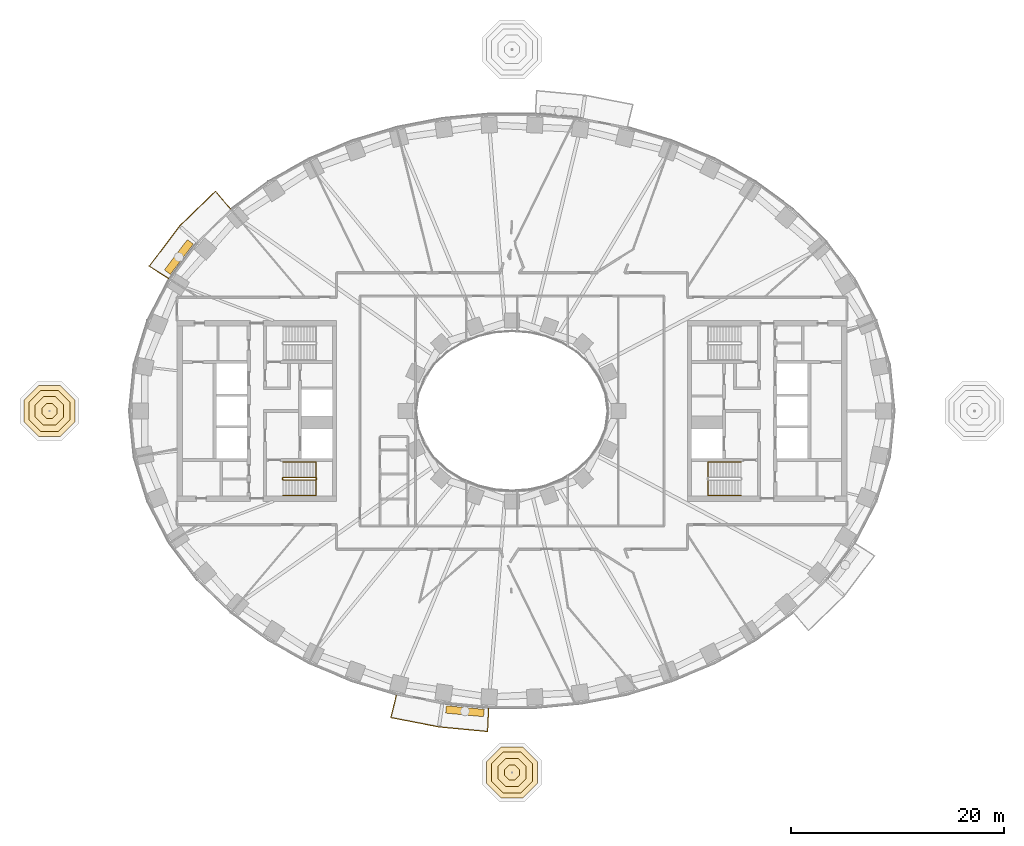
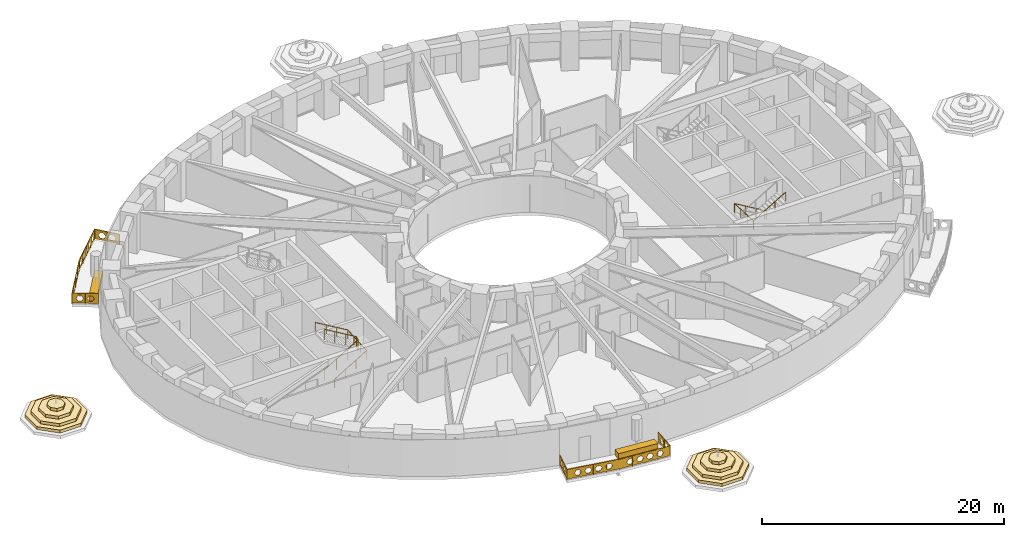
# One storey, part 13 of 20: 10 coverings, 5 railings.
"""IFC4 building model written with IfcOpenShell, lengths in metres."""

from ifc_helpers import new_model, si_unit, direction, frame, origin, origin_2d, place, context, subcontext, project, spatial, polyline, rectangle, outline, extrude, material, layer, layer_set, type_object, element, save


model = new_model("IFC4")

# Units and contexts
model_context = context("Model", 3, precision=1e-05, world=origin(), true_north=direction((0.0, 1.0)))
body_context = subcontext(model_context, "Body", "Model", "MODEL_VIEW")
ifc_project = project(units=[si_unit("LENGTHUNIT", "METRE"), si_unit("AREAUNIT", "SQUARE_METRE"), si_unit("VOLUMEUNIT", "CUBIC_METRE"), si_unit("PLANEANGLEUNIT", "RADIAN"), si_unit("MASSUNIT", "GRAM", prefix="KILO")], contexts=[model_context])

# Site, building, storey
site_placement = place(None, origin())
site = spatial("IfcSite", under=ifc_project, at=site_placement, CompositionType="ELEMENT")
building_placement = place(site_placement, origin())
building = spatial("IfcBuilding", under=site, at=building_placement, Name="Noorbagh Ring Tower", CompositionType="ELEMENT")
storey_placement = place(building_placement, frame((0.0, 0.0, 34.5)))
storey = spatial("IfcBuildingStorey", under=building, at=storey_placement, Name="L06", CompositionType="ELEMENT", Elevation=34.5)

# Railings
ifc_material_1 = material(Name="Stainless steel", Category="steel")
railing_type_1 = type_object("IfcRailingType", Name="CORE-STAIR-GUARD", PredefinedType="GUARDRAIL", material=ifc_material_1)
railing_1_placement = place(storey_placement, frame((-21.580078125, -6.449951171875, 0.0)))
element("IfcRailing", 1, at=railing_1_placement, inside=storey, type_object=railing_type_1, Name="L06 ST2 stair guard", PredefinedType="GUARDRAIL", context=body_context, shape_type="SweptSolid", body=[
    extrude(rectangle(XDim=0.048095703125, YDim=0.048095703125, at=origin_2d()), frame((0.0, 0.0, 1.076171875), z_axis=(0.0, 1.0, 0.0), x_axis=(-1.0, 0.0, 0.0)), (0.0, 0.0, 1.0), 0.14990234375),
    extrude(rectangle(XDim=0.048095703125, YDim=0.048095703125, at=origin_2d()), frame((0.0, 0.14990234375, 1.076171875), z_axis=(0.188775798145, -0.754182335027, 0.628945707965), x_axis=(0.970072785993, 0.242814311512, 0.0)), (0.0, 0.0, 1.0), 0.26513671875),
    extrude(rectangle(XDim=0.048095703125, YDim=0.048095703125, at=origin_2d()), frame((0.050048828125, -0.050048828125, 1.24267578125), z_axis=(0.859308565015, 0.0, 0.511457515432), x_axis=(0.0, 1.0, 0.0)), (0.0, 0.0, 1.0), 3.58447265625),
    extrude(rectangle(XDim=0.048095703125, YDim=0.048095703125, at=origin_2d()), frame((3.130126953125, -0.050048828125, 3.076171875), z_axis=(0.707106781187, 0.707106781187, 0.0), x_axis=(-0.707106781187, 0.707106781187, 0.0)), (0.0, 0.0, 1.0), 0.07080078125),
    extrude(rectangle(XDim=0.048095703125, YDim=0.048095703125, at=origin_2d()), frame((3.18017578125, 0.0, 3.076171875), z_axis=(0.0, 1.0, 0.0), x_axis=(-1.0, 0.0, 0.0)), (0.0, 0.0, 1.0), 0.14990234375),
    extrude(rectangle(XDim=0.048095703125, YDim=0.048095703125, at=origin_2d()), frame((3.18017578125, 0.14990234375, 3.076171875), z_axis=(-0.27628659633, 0.27628659633, 0.920506074601), x_axis=(-0.707106781187, -0.707106781187, 0.0)), (0.0, 0.0, 1.0), 0.18115234375),
    extrude(rectangle(XDim=0.048095703125, YDim=0.048095703125, at=origin_2d()), frame((3.130126953125, 0.199951171875, 3.24267578125), z_axis=(-0.859308565015, 0.0, 0.511457515432), x_axis=(0.0, -1.0, 0.0)), (0.0, 0.0, 1.0), 3.58447265625),
    extrude(rectangle(XDim=0.0419921875, YDim=0.0419921875, at=origin_2d()), origin(), (0.0, 0.0, 1.0), 1.052001953125),
    extrude(rectangle(XDim=0.0419921875, YDim=0.0419921875, at=origin_2d()), frame((1.07666015625, -0.050048828125, 0.77783203125)), (0.0, 0.0, 1.0), 1.052001953125),
    extrude(rectangle(XDim=0.0419921875, YDim=0.0419921875, at=origin_2d()), frame((2.103515625, -0.050048828125, 1.388916015625)), (0.0, 0.0, 1.0), 1.052001953125),
    extrude(rectangle(XDim=0.0419921875, YDim=0.0419921875, at=origin_2d()), frame((3.130126953125, -0.050048828125, 2.0)), (0.0, 0.0, 1.0), 1.052001953125),
    extrude(rectangle(XDim=0.0419921875, YDim=0.0419921875, at=origin_2d()), frame((3.130126953125, 0.199951171875, 2.166748046875)), (0.0, 0.0, 1.0), 1.052001953125),
    extrude(rectangle(XDim=0.0419921875, YDim=0.0419921875, at=origin_2d()), frame((2.103515625, 0.199951171875, 2.77783203125)), (0.0, 0.0, 1.0), 1.052001953125),
    extrude(rectangle(XDim=0.0419921875, YDim=0.0419921875, at=origin_2d()), frame((1.07666015625, 0.199951171875, 3.388916015625)), (0.0, 0.0, 1.0), 1.052001953125),
    extrude(rectangle(XDim=0.0419921875, YDim=0.0419921875, at=origin_2d()), frame((0.050048828125, 0.199951171875, 4.0)), (0.0, 0.0, 1.0), 1.052001953125),
])
ifc_material_2 = material(Name="Stainless steel", Category="steel")
railing_type_2 = type_object("IfcRailingType", Name="CORE-STAIR-HANDRAIL", PredefinedType="HANDRAIL", material=ifc_material_2)
railing_2_placement = place(storey_placement, frame((-21.530029296875, -7.949951171875, 0.166748046875)))
element("IfcRailing", 2, at=railing_2_placement, inside=storey, type_object=railing_type_2, Name="L06 ST2 stair handrail", PredefinedType="HANDRAIL", context=body_context, shape_type="SweptSolid", body=[
    extrude(rectangle(XDim=0.048095703125, YDim=0.048095703125, at=origin_2d()), frame((0.0, 0.0, 0.8759765625), z_axis=(0.859308565015, 0.0, 0.511457515432), x_axis=(0.0, 1.0, 0.0)), (0.0, 0.0, 1.0), 3.58447265625),
    extrude(rectangle(XDim=0.048095703125, YDim=0.048095703125, at=origin_2d()), frame((3.080078125, 0.0, 2.708984375), z_axis=(0.0, 0.998601747152, 0.052863509014), x_axis=(-1.0, 0.0, 0.0)), (0.0, 0.0, 1.0), 3.154296875),
    extrude(rectangle(XDim=0.048095703125, YDim=0.048095703125, at=origin_2d()), frame((3.080078125, 3.14990234375, 2.8759765625), z_axis=(-0.859308565015, 0.0, 0.511457515432), x_axis=(0.0, -1.0, 0.0)), (0.0, 0.0, 1.0), 3.58447265625),
    extrude(rectangle(XDim=0.0419921875, YDim=0.0419921875, at=origin_2d()), origin(), (0.0, 0.0, 1.0), 0.851806640625),
    extrude(rectangle(XDim=0.0419921875, YDim=0.0419921875, at=origin_2d()), frame((1.026611328125, 0.0, 0.611083984375)), (0.0, 0.0, 1.0), 0.851806640625),
    extrude(rectangle(XDim=0.0419921875, YDim=0.0419921875, at=origin_2d()), frame((2.053466796875, 0.0, 1.22216796875)), (0.0, 0.0, 1.0), 0.851806640625),
    extrude(rectangle(XDim=0.0419921875, YDim=0.0419921875, at=origin_2d()), frame((3.080078125, 0.0, 1.833251953125)), (0.0, 0.0, 1.0), 0.851806640625),
    extrude(rectangle(XDim=0.0419921875, YDim=0.0419921875, at=origin_2d()), frame((3.080078125, 1.050048828125, 1.888916015625)), (0.0, 0.0, 1.0), 0.851806640625),
    extrude(rectangle(XDim=0.0419921875, YDim=0.0419921875, at=origin_2d()), frame((3.080078125, 2.099853515625, 1.9443359375)), (0.0, 0.0, 1.0), 0.851806640625),
    extrude(rectangle(XDim=0.0419921875, YDim=0.0419921875, at=origin_2d()), frame((3.080078125, 3.14990234375, 2.0)), (0.0, 0.0, 1.0), 0.851806640625),
    extrude(rectangle(XDim=0.0419921875, YDim=0.0419921875, at=origin_2d()), frame((2.053466796875, 3.14990234375, 2.611083984375)), (0.0, 0.0, 1.0), 0.851806640625),
    extrude(rectangle(XDim=0.0419921875, YDim=0.0419921875, at=origin_2d()), frame((1.026611328125, 3.14990234375, 3.22216796875)), (0.0, 0.0, 1.0), 0.851806640625),
    extrude(rectangle(XDim=0.0419921875, YDim=0.0419921875, at=origin_2d()), frame((0.0, 3.14990234375, 3.833251953125)), (0.0, 0.0, 1.0), 0.851806640625),
])
railing_3_placement = place(storey_placement, frame((21.530029296875, -4.800048828125, 0.166748046875)))
element("IfcRailing", 3, at=railing_3_placement, inside=storey, type_object=railing_type_2, Name="L06 ST4 stair handrail", PredefinedType="HANDRAIL", context=body_context, shape_type="SweptSolid", body=[
    extrude(rectangle(XDim=0.048095703125, YDim=0.048095703125, at=origin_2d()), frame((0.0, 0.0, 0.8759765625), z_axis=(-0.859308565015, 0.0, 0.511457515432), x_axis=(0.0, -1.0, 0.0)), (0.0, 0.0, 1.0), 3.58447265625),
    extrude(rectangle(XDim=0.048095703125, YDim=0.048095703125, at=origin_2d()), frame((-3.080078125, 0.0, 2.708984375), z_axis=(0.0, -0.998601747152, 0.052863509014), x_axis=(1.0, 0.0, 0.0)), (0.0, 0.0, 1.0), 3.154296875),
    extrude(rectangle(XDim=0.048095703125, YDim=0.048095703125, at=origin_2d()), frame((-3.080078125, -3.14990234375, 2.8759765625), z_axis=(0.859308565015, 0.0, 0.511457515432), x_axis=(0.0, 1.0, 0.0)), (0.0, 0.0, 1.0), 3.58447265625),
    extrude(rectangle(XDim=0.0419921875, YDim=0.0419921875, at=origin_2d()), origin(), (0.0, 0.0, 1.0), 0.851806640625),
    extrude(rectangle(XDim=0.0419921875, YDim=0.0419921875, at=origin_2d()), frame((-1.026611328125, 0.0, 0.611083984375)), (0.0, 0.0, 1.0), 0.851806640625),
    extrude(rectangle(XDim=0.0419921875, YDim=0.0419921875, at=origin_2d()), frame((-2.053466796875, 0.0, 1.22216796875)), (0.0, 0.0, 1.0), 0.851806640625),
    extrude(rectangle(XDim=0.0419921875, YDim=0.0419921875, at=origin_2d()), frame((-3.080078125, 0.0, 1.833251953125)), (0.0, 0.0, 1.0), 0.851806640625),
    extrude(rectangle(XDim=0.0419921875, YDim=0.0419921875, at=origin_2d()), frame((-3.080078125, -1.050048828125, 1.888916015625)), (0.0, 0.0, 1.0), 0.851806640625),
    extrude(rectangle(XDim=0.0419921875, YDim=0.0419921875, at=origin_2d()), frame((-3.080078125, -2.099853515625, 1.9443359375)), (0.0, 0.0, 1.0), 0.851806640625),
    extrude(rectangle(XDim=0.0419921875, YDim=0.0419921875, at=origin_2d()), frame((-3.080078125, -3.14990234375, 2.0)), (0.0, 0.0, 1.0), 0.851806640625),
    extrude(rectangle(XDim=0.0419921875, YDim=0.0419921875, at=origin_2d()), frame((-2.053466796875, -3.14990234375, 2.611083984375)), (0.0, 0.0, 1.0), 0.851806640625),
    extrude(rectangle(XDim=0.0419921875, YDim=0.0419921875, at=origin_2d()), frame((-1.026611328125, -3.14990234375, 3.22216796875)), (0.0, 0.0, 1.0), 0.851806640625),
    extrude(rectangle(XDim=0.0419921875, YDim=0.0419921875, at=origin_2d()), frame((0.0, -3.14990234375, 3.833251953125)), (0.0, 0.0, 1.0), 0.851806640625),
])
ifc_material_3 = material(Name="Steel S275 black powder-coated", Category="steel")
railing_type_3 = type_object("IfcRailingType", Name="ENV-GUARD", PredefinedType="GUARDRAIL", material=ifc_material_3)
railing_4_placement = place(storey_placement, frame((-26.463134765625, 18.983154296875, 0.0)))
element("IfcRailing", 4, at=railing_4_placement, inside=storey, type_object=railing_type_3, Name="Balcony guard BN06", PredefinedType="GUARDRAIL", context=body_context, shape_type="SweptSolid", body=[
    extrude(rectangle(XDim=0.048095703125, YDim=0.048095703125, at=origin_2d()), frame((0.0, 0.0, 1.076171875), z_axis=(-0.646413574048, 0.762987215677, 0.0), x_axis=(-0.762987215677, -0.646413574048, 0.0)), (0.0, 0.0, 1.0), 2.205322265625),
    extrude(rectangle(XDim=0.048095703125, YDim=0.048095703125, at=origin_2d()), frame((-1.425537109375, 1.6826171875, 1.076171875), z_axis=(-0.717212632946, -0.696854388766, 0.0), x_axis=(0.696854388766, -0.717212632946, 0.0)), (0.0, 0.0, 1.0), 4.700927734375),
    extrude(rectangle(XDim=0.048095703125, YDim=0.048095703125, at=origin_2d()), frame((-4.797119140625, -1.59326171875, 1.076171875), z_axis=(-0.604001613322, -0.796983093362, 0.0), x_axis=(0.796983093362, -0.604001613322, 0.0)), (0.0, 0.0, 1.0), 4.7353515625),
    extrude(rectangle(XDim=0.048095703125, YDim=0.048095703125, at=origin_2d()), frame((-7.6572265625, -5.3671875, 1.076171875), z_axis=(0.844852397829, -0.534999463442, 0.0), x_axis=(0.534999463442, 0.844852397829, 0.0)), (0.0, 0.0, 1.0), 2.207763671875),
    extrude(rectangle(XDim=0.0419921875, YDim=0.0419921875, at=origin_2d()), origin(), (0.0, 0.0, 1.0), 1.052001953125),
    extrude(rectangle(XDim=0.0419921875, YDim=0.0419921875, at=origin_2d()), frame((-0.712890625, 0.84130859375, 0.0)), (0.0, 0.0, 1.0), 1.052001953125),
    extrude(rectangle(XDim=0.0419921875, YDim=0.0419921875, at=origin_2d()), frame((-1.425537109375, 1.6826171875, 0.0)), (0.0, 0.0, 1.0), 1.052001953125),
    extrude(rectangle(XDim=0.0419921875, YDim=0.0419921875, at=origin_2d()), frame((-2.2685546875, 0.86376953125, 0.0)), (0.0, 0.0, 1.0), 1.052001953125),
    extrude(rectangle(XDim=0.0419921875, YDim=0.0419921875, at=origin_2d()), frame((-3.111328125, 0.044677734375, 0.0)), (0.0, 0.0, 1.0), 1.052001953125),
    extrude(rectangle(XDim=0.0419921875, YDim=0.0419921875, at=origin_2d()), frame((-3.9541015625, -0.7744140625, 0.0)), (0.0, 0.0, 1.0), 1.052001953125),
    extrude(rectangle(XDim=0.0419921875, YDim=0.0419921875, at=origin_2d()), frame((-4.797119140625, -1.59326171875, 0.0)), (0.0, 0.0, 1.0), 1.052001953125),
    extrude(rectangle(XDim=0.0419921875, YDim=0.0419921875, at=origin_2d()), frame((-5.51220703125, -2.53662109375, 0.0)), (0.0, 0.0, 1.0), 1.052001953125),
    extrude(rectangle(XDim=0.0419921875, YDim=0.0419921875, at=origin_2d()), frame((-6.22705078125, -3.480224609375, 0.0)), (0.0, 0.0, 1.0), 1.052001953125),
    extrude(rectangle(XDim=0.0419921875, YDim=0.0419921875, at=origin_2d()), frame((-6.942138671875, -4.423828125, 0.0)), (0.0, 0.0, 1.0), 1.052001953125),
    extrude(rectangle(XDim=0.0419921875, YDim=0.0419921875, at=origin_2d()), frame((-7.6572265625, -5.3671875, 0.0)), (0.0, 0.0, 1.0), 1.052001953125),
    extrude(rectangle(XDim=0.0419921875, YDim=0.0419921875, at=origin_2d()), frame((-6.724609375, -5.957763671875, 0.0)), (0.0, 0.0, 1.0), 1.052001953125),
    extrude(rectangle(XDim=0.0419921875, YDim=0.0419921875, at=origin_2d()), frame((-5.7919921875, -6.54833984375, 0.0)), (0.0, 0.0, 1.0), 1.052001953125),
    extrude(outline(polyline([(0.0, 0.10009765625), (2.205322265625, 0.10009765625), (2.205322265625, 1.031982421875), (0.0, 1.031982421875), (0.0, 0.10009765625)]), holes=[polyline([(0.962646484375, 0.56591796875), (0.8076171875, 0.83447265625), (0.49755859375, 0.83447265625), (0.342529296875, 0.56591796875), (0.49755859375, 0.297607421875), (0.8076171875, 0.297607421875), (0.962646484375, 0.56591796875)]), polyline([(1.862548828125, 0.56591796875), (1.707763671875, 0.83447265625), (1.397705078125, 0.83447265625), (1.24267578125, 0.56591796875), (1.397705078125, 0.297607421875), (1.707763671875, 0.297607421875), (1.862548828125, 0.56591796875)])]), frame((-0.007568359375, -0.00634765625, 0.0), z_axis=(0.762987215677, 0.646413574048, 0.0), x_axis=(-0.646413574048, 0.762987215677, 0.0)), (0.0, 0.0, 1.0), 0.02001953125),
    extrude(outline(polyline([(0.0, 0.10009765625), (4.700927734375, 0.10009765625), (4.700927734375, 1.031982421875), (0.0, 1.031982421875), (0.0, 0.10009765625)]), holes=[polyline([(0.860595703125, 0.56591796875), (0.70556640625, 0.83447265625), (0.3955078125, 0.83447265625), (0.240478515625, 0.56591796875), (0.3955078125, 0.297607421875), (0.70556640625, 0.297607421875), (0.860595703125, 0.56591796875)]), polyline([(1.760498046875, 0.56591796875), (1.60546875, 0.83447265625), (1.29541015625, 0.83447265625), (1.140380859375, 0.56591796875), (1.29541015625, 0.297607421875), (1.60546875, 0.297607421875), (1.760498046875, 0.56591796875)]), polyline([(2.660400390625, 0.56591796875), (2.50537109375, 0.83447265625), (2.195556640625, 0.83447265625), (2.04052734375, 0.56591796875), (2.195556640625, 0.297607421875), (2.50537109375, 0.297607421875), (2.660400390625, 0.56591796875)]), polyline([(3.560546875, 0.56591796875), (3.405517578125, 0.83447265625), (3.095458984375, 0.83447265625), (2.9404296875, 0.56591796875), (3.095458984375, 0.297607421875), (3.405517578125, 0.297607421875), (3.560546875, 0.56591796875)]), polyline([(4.46044921875, 0.56591796875), (4.305419921875, 0.83447265625), (3.995361328125, 0.83447265625), (3.840576171875, 0.56591796875), (3.995361328125, 0.297607421875), (4.305419921875, 0.297607421875), (4.46044921875, 0.56591796875)])]), frame((-1.41845703125, 1.675537109375, 0.0), z_axis=(-0.696854388766, 0.717212632946, 0.0), x_axis=(-0.717212632946, -0.696854388766, 0.0)), (0.0, 0.0, 1.0), 0.02001953125),
    extrude(outline(polyline([(0.0, 0.10009765625), (4.7353515625, 0.10009765625), (4.7353515625, 1.031982421875), (0.0, 1.031982421875), (0.0, 0.10009765625)]), holes=[polyline([(0.877685546875, 0.56591796875), (0.72265625, 0.83447265625), (0.41259765625, 0.83447265625), (0.257568359375, 0.56591796875), (0.41259765625, 0.297607421875), (0.72265625, 0.297607421875), (0.877685546875, 0.56591796875)]), polyline([(1.777587890625, 0.56591796875), (1.62255859375, 0.83447265625), (1.312744140625, 0.83447265625), (1.15771484375, 0.56591796875), (1.312744140625, 0.297607421875), (1.62255859375, 0.297607421875), (1.777587890625, 0.56591796875)]), polyline([(2.677734375, 0.56591796875), (2.522705078125, 0.83447265625), (2.212646484375, 0.83447265625), (2.0576171875, 0.56591796875), (2.212646484375, 0.297607421875), (2.522705078125, 0.297607421875), (2.677734375, 0.56591796875)]), polyline([(3.57763671875, 0.56591796875), (3.422607421875, 0.83447265625), (3.112548828125, 0.83447265625), (2.95751953125, 0.56591796875), (3.112548828125, 0.297607421875), (3.422607421875, 0.297607421875), (3.57763671875, 0.56591796875)]), polyline([(4.4775390625, 0.56591796875), (4.32275390625, 0.83447265625), (4.0126953125, 0.83447265625), (3.857666015625, 0.56591796875), (4.0126953125, 0.297607421875), (4.32275390625, 0.297607421875), (4.4775390625, 0.56591796875)])]), frame((-4.7890625, -1.599365234375, 0.0), z_axis=(-0.796983093362, 0.604001613322, 0.0), x_axis=(-0.604001613322, -0.796983093362, 0.0)), (0.0, 0.0, 1.0), 0.02001953125),
    extrude(outline(polyline([(0.0, 0.10009765625), (2.207763671875, 0.10009765625), (2.207763671875, 1.031982421875), (0.0, 1.031982421875), (0.0, 0.10009765625)]), holes=[polyline([(0.9638671875, 0.56591796875), (0.808837890625, 0.83447265625), (0.498779296875, 0.83447265625), (0.343994140625, 0.56591796875), (0.498779296875, 0.297607421875), (0.808837890625, 0.297607421875), (0.9638671875, 0.56591796875)]), polyline([(1.86376953125, 0.56591796875), (1.708984375, 0.83447265625), (1.39892578125, 0.83447265625), (1.243896484375, 0.56591796875), (1.39892578125, 0.297607421875), (1.708984375, 0.297607421875), (1.86376953125, 0.56591796875)])]), frame((-7.65185546875, -5.358642578125, 0.0), z_axis=(-0.534999463442, -0.844852397829, 0.0), x_axis=(0.844852397829, -0.534999463442, 0.0)), (0.0, 0.0, 1.0), 0.02001953125),
])
railing_5_placement = place(storey_placement, frame((-10.865234375, -26.6943359375, 0.0)))
element("IfcRailing", 5, at=railing_5_placement, inside=storey, type_object=railing_type_3, Name="Balcony guard BS03", PredefinedType="GUARDRAIL", context=body_context, shape_type="SweptSolid", body=[
    extrude(rectangle(XDim=0.048095703125, YDim=0.048095703125, at=origin_2d()), frame((0.0, 0.0, 1.076171875), z_axis=(-0.239848558412, -0.970810315679, 0.0), x_axis=(0.970810315679, -0.239848558412, 0.0)), (0.0, 0.0, 1.0), 2.20263671875),
    extrude(rectangle(XDim=0.048095703125, YDim=0.048095703125, at=origin_2d()), frame((-0.5283203125, -2.138427734375, 1.076171875), z_axis=(0.981625049064, -0.1908199755, 0.0), x_axis=(0.1908199755, 0.981625049064, 0.0)), (0.0, 0.0, 1.0), 4.603271484375),
    extrude(rectangle(XDim=0.048095703125, YDim=0.048095703125, at=origin_2d()), frame((3.990478515625, -3.016845703125, 1.076171875), z_axis=(0.995477555764, -0.094997031379, 0.0), x_axis=(0.094997031379, 0.995477555764, 0.0)), (0.0, 0.0, 1.0), 4.59765625),
    extrude(rectangle(XDim=0.048095703125, YDim=0.048095703125, at=origin_2d()), frame((8.5673828125, -3.45361328125, 1.076171875), z_axis=(0.047554616162, 0.998868639252, 0.0), x_axis=(-0.998868639252, 0.047554616162, 0.0)), (0.0, 0.0, 1.0), 2.202392578125),
    extrude(rectangle(XDim=0.0419921875, YDim=0.0419921875, at=origin_2d()), origin(), (0.0, 0.0, 1.0), 1.052001953125),
    extrude(rectangle(XDim=0.0419921875, YDim=0.0419921875, at=origin_2d()), frame((-0.26416015625, -1.0693359375, 0.0)), (0.0, 0.0, 1.0), 1.052001953125),
    extrude(rectangle(XDim=0.0419921875, YDim=0.0419921875, at=origin_2d()), frame((-0.5283203125, -2.138427734375, 0.0)), (0.0, 0.0, 1.0), 1.052001953125),
    extrude(rectangle(XDim=0.0419921875, YDim=0.0419921875, at=origin_2d()), frame((0.601318359375, -2.35791015625, 0.0)), (0.0, 0.0, 1.0), 1.052001953125),
    extrude(rectangle(XDim=0.0419921875, YDim=0.0419921875, at=origin_2d()), frame((1.73095703125, -2.57763671875, 0.0)), (0.0, 0.0, 1.0), 1.052001953125),
    extrude(rectangle(XDim=0.0419921875, YDim=0.0419921875, at=origin_2d()), frame((2.86083984375, -2.79736328125, 0.0)), (0.0, 0.0, 1.0), 1.052001953125),
    extrude(rectangle(XDim=0.0419921875, YDim=0.0419921875, at=origin_2d()), frame((3.990478515625, -3.016845703125, 0.0)), (0.0, 0.0, 1.0), 1.052001953125),
    extrude(rectangle(XDim=0.0419921875, YDim=0.0419921875, at=origin_2d()), frame((5.134765625, -3.1259765625, 0.0)), (0.0, 0.0, 1.0), 1.052001953125),
    extrude(rectangle(XDim=0.0419921875, YDim=0.0419921875, at=origin_2d()), frame((6.27880859375, -3.2353515625, 0.0)), (0.0, 0.0, 1.0), 1.052001953125),
    extrude(rectangle(XDim=0.0419921875, YDim=0.0419921875, at=origin_2d()), frame((7.423095703125, -3.344482421875, 0.0)), (0.0, 0.0, 1.0), 1.052001953125),
    extrude(rectangle(XDim=0.0419921875, YDim=0.0419921875, at=origin_2d()), frame((8.5673828125, -3.45361328125, 0.0)), (0.0, 0.0, 1.0), 1.052001953125),
    extrude(rectangle(XDim=0.0419921875, YDim=0.0419921875, at=origin_2d()), frame((8.61962890625, -2.353515625, 0.0)), (0.0, 0.0, 1.0), 1.052001953125),
    extrude(rectangle(XDim=0.0419921875, YDim=0.0419921875, at=origin_2d()), frame((8.672119140625, -1.253662109375, 0.0)), (0.0, 0.0, 1.0), 1.052001953125),
    extrude(outline(polyline([(0.0, 0.10009765625), (2.20263671875, 0.10009765625), (2.20263671875, 1.031982421875), (0.0, 1.031982421875), (0.0, 0.10009765625)]), holes=[polyline([(0.96142578125, 0.56591796875), (0.806396484375, 0.83447265625), (0.496337890625, 0.83447265625), (0.34130859375, 0.56591796875), (0.496337890625, 0.297607421875), (0.806396484375, 0.297607421875), (0.96142578125, 0.56591796875)]), polyline([(1.861328125, 0.56591796875), (1.706298828125, 0.83447265625), (1.396240234375, 0.83447265625), (1.241455078125, 0.56591796875), (1.396240234375, 0.297607421875), (1.706298828125, 0.297607421875), (1.861328125, 0.56591796875)])]), frame((0.009765625, -0.00244140625, 0.0), z_axis=(-0.970810315679, 0.239848558412, 0.0), x_axis=(-0.239848558412, -0.970810315679, 0.0)), (0.0, 0.0, 1.0), 0.02001953125),
    extrude(outline(polyline([(0.0, 0.10009765625), (4.603271484375, 0.10009765625), (4.603271484375, 1.031982421875), (0.0, 1.031982421875), (0.0, 0.10009765625)]), holes=[polyline([(1.26171875, 0.56591796875), (1.106689453125, 0.83447265625), (0.796630859375, 0.83447265625), (0.6416015625, 0.56591796875), (0.796630859375, 0.297607421875), (1.106689453125, 0.297607421875), (1.26171875, 0.56591796875)]), polyline([(2.16162109375, 0.56591796875), (2.006591796875, 0.83447265625), (1.69677734375, 0.83447265625), (1.541748046875, 0.56591796875), (1.69677734375, 0.297607421875), (2.006591796875, 0.297607421875), (2.16162109375, 0.56591796875)]), polyline([(3.061767578125, 0.56591796875), (2.90673828125, 0.83447265625), (2.5966796875, 0.83447265625), (2.441650390625, 0.56591796875), (2.5966796875, 0.297607421875), (2.90673828125, 0.297607421875), (3.061767578125, 0.56591796875)]), polyline([(3.961669921875, 0.56591796875), (3.806640625, 0.83447265625), (3.49658203125, 0.83447265625), (3.341796875, 0.56591796875), (3.49658203125, 0.297607421875), (3.806640625, 0.297607421875), (3.961669921875, 0.56591796875)])]), frame((-0.5263671875, -2.128662109375, 0.0), z_axis=(-0.1908199755, -0.981625049064, 0.0), x_axis=(0.981625049064, -0.1908199755, 0.0)), (0.0, 0.0, 1.0), 0.02001953125),
    extrude(outline(polyline([(0.0, 0.10009765625), (4.59765625, 0.10009765625), (4.59765625, 1.031982421875), (0.0, 1.031982421875), (0.0, 0.10009765625)]), holes=[polyline([(1.2587890625, 0.56591796875), (1.103759765625, 0.83447265625), (0.7939453125, 0.83447265625), (0.638916015625, 0.56591796875), (0.7939453125, 0.297607421875), (1.103759765625, 0.297607421875), (1.2587890625, 0.56591796875)]), polyline([(2.158935546875, 0.56591796875), (2.00390625, 0.83447265625), (1.69384765625, 0.83447265625), (1.538818359375, 0.56591796875), (1.69384765625, 0.297607421875), (2.00390625, 0.297607421875), (2.158935546875, 0.56591796875)]), polyline([(3.058837890625, 0.56591796875), (2.90380859375, 0.83447265625), (2.59375, 0.83447265625), (2.43896484375, 0.56591796875), (2.59375, 0.297607421875), (2.90380859375, 0.297607421875), (3.058837890625, 0.56591796875)]), polyline([(3.958740234375, 0.56591796875), (3.803955078125, 0.83447265625), (3.493896484375, 0.83447265625), (3.3388671875, 0.56591796875), (3.493896484375, 0.297607421875), (3.803955078125, 0.297607421875), (3.958740234375, 0.56591796875)])]), frame((3.991455078125, -3.0068359375, 0.0), z_axis=(-0.094997031379, -0.995477555764, 0.0), x_axis=(0.995477555764, -0.094997031379, 0.0)), (0.0, 0.0, 1.0), 0.02001953125),
    extrude(outline(polyline([(0.0, 0.10009765625), (2.202392578125, 0.10009765625), (2.202392578125, 1.031982421875), (0.0, 1.031982421875), (0.0, 0.10009765625)]), holes=[polyline([(0.961181640625, 0.56591796875), (0.80615234375, 0.83447265625), (0.496337890625, 0.83447265625), (0.34130859375, 0.56591796875), (0.496337890625, 0.297607421875), (0.80615234375, 0.297607421875), (0.961181640625, 0.56591796875)]), polyline([(1.861328125, 0.56591796875), (1.706298828125, 0.83447265625), (1.396240234375, 0.83447265625), (1.2412109375, 0.56591796875), (1.396240234375, 0.297607421875), (1.706298828125, 0.297607421875), (1.861328125, 0.56591796875)])]), frame((8.557373046875, -3.453125, 0.0), z_axis=(0.998868639252, -0.047554616162, 0.0), x_axis=(0.047554616162, 0.998868639252, 0.0)), (0.0, 0.0, 1.0), 0.02001953125),
])

# Coverings
ifc_material_4 = material(Name="Concrete C30/37 planter with soil", Category="concrete")
covering_type_1 = type_object("IfcCoveringType", Name="ENV-PLANTER", PredefinedType="CLADDING", material=ifc_material_4)
covering_1_placement = place(storey_placement, frame((-31.329833984375, 14.4833984375, 0.0), z_axis=(0.0, 0.0, 1.0), x_axis=(-0.604020184358, -0.796969018776, 0.0)))
element("IfcCovering", 6, at=covering_1_placement, inside=storey, type_object=covering_type_1, Name="PLANTER BN06", ObjectType="PLANTER", PredefinedType="CLADDING", context=body_context, shape_type="SweptSolid", body=[
    extrude(rectangle(XDim=3.583251953125, YDim=0.699951171875, at=origin_2d()), origin(), (0.0, 0.0, 1.0), 0.60009765625),
])
covering_2_placement = place(storey_placement, frame((-4.423828125, -28.2373046875, 0.0), z_axis=(0.0, 0.0, 1.0), x_axis=(0.995476497323, -0.095008122171, 0.0)))
element("IfcCovering", 7, at=covering_2_placement, inside=storey, type_object=covering_type_1, Name="PLANTER BS03", ObjectType="PLANTER", PredefinedType="CLADDING", context=body_context, shape_type="SweptSolid", body=[
    extrude(rectangle(XDim=3.58642578125, YDim=0.699951171875, at=origin_2d()), origin(), (0.0, 0.0, 1.0), 0.60009765625),
])
ifc_material_5 = material(Name="Cream sandstone dome cladding", Category="masonry")
ifc_layer = layer(ifc_material_5, 0.300048828125)
ifc_layer_set = layer_set([ifc_layer], Name="Cream sandstone dome cladding")
covering_type_2 = type_object("IfcCoveringType", Name="STY-DOME", PredefinedType="ROOFING", material=ifc_layer_set)
covering_3_placement = place(storey_placement, frame((0.0, 0.0, 0.300048828125)))
element("IfcCovering", 8, at=covering_3_placement, inside=storey, type_object=covering_type_2, Name="Chhatri 2 dome", PredefinedType="ROOFING", context=body_context, shape_type="SweptSolid", body=[
    extrude(outline(polyline([(-41.097900390625, 0.9951171875), (-42.5048828125, 2.402099609375), (-44.4951171875, 2.402099609375), (-45.902099609375, 0.9951171875), (-45.902099609375, -0.9951171875), (-44.4951171875, -2.402099609375), (-42.5048828125, -2.402099609375), (-41.097900390625, -0.9951171875), (-41.097900390625, 0.9951171875)])), origin(), (0.0, 0.0, 1.0), 0.300048828125),
])
covering_4_placement = place(storey_placement, frame((0.0, 0.0, 0.60009765625)))
element("IfcCovering", 9, at=covering_4_placement, inside=storey, type_object=covering_type_2, Name="Chhatri 2 dome", PredefinedType="ROOFING", context=body_context, shape_type="SweptSolid", body=[
    extrude(outline(polyline([(-41.559814453125, 0.8037109375), (-42.6962890625, 1.940185546875), (-44.3037109375, 1.940185546875), (-45.440185546875, 0.8037109375), (-45.440185546875, -0.8037109375), (-44.3037109375, -1.940185546875), (-42.6962890625, -1.940185546875), (-41.559814453125, -0.8037109375), (-41.559814453125, 0.8037109375)])), origin(), (0.0, 0.0, 1.0), 0.2998046875),
])
covering_5_placement = place(storey_placement, frame((0.0, 0.0, 0.89990234375)))
element("IfcCovering", 10, at=covering_5_placement, inside=storey, type_object=covering_type_2, Name="Chhatri 2 dome", PredefinedType="ROOFING", context=body_context, shape_type="SweptSolid", body=[
    extrude(outline(polyline([(-42.160400390625, 0.554931640625), (-42.945068359375, 1.339599609375), (-44.054931640625, 1.339599609375), (-44.839599609375, 0.554931640625), (-44.839599609375, -0.554931640625), (-44.054931640625, -1.339599609375), (-42.945068359375, -1.339599609375), (-42.160400390625, -0.554931640625), (-42.160400390625, 0.554931640625)])), origin(), (0.0, 0.0, 1.0), 0.300048828125),
])
covering_6_placement = place(storey_placement, frame((0.0, 0.0, 1.199951171875)))
element("IfcCovering", 11, at=covering_6_placement, inside=storey, type_object=covering_type_2, Name="Chhatri 2 dome", PredefinedType="ROOFING", context=body_context, shape_type="SweptSolid", body=[
    extrude(outline(polyline([(-42.80712890625, 0.287109375), (-43.212890625, 0.69287109375), (-43.787109375, 0.69287109375), (-44.19287109375, 0.287109375), (-44.19287109375, -0.287109375), (-43.787109375, -0.69287109375), (-43.212890625, -0.69287109375), (-42.80712890625, -0.287109375), (-42.80712890625, 0.287109375)])), origin(), (0.0, 0.0, 1.0), 0.300048828125),
])
covering_7_placement = place(storey_placement, frame((0.0, 0.0, 0.300048828125)))
element("IfcCovering", 12, at=covering_7_placement, inside=storey, type_object=covering_type_2, Name="Chhatri 4 dome", PredefinedType="ROOFING", context=body_context, shape_type="SweptSolid", body=[
    extrude(outline(polyline([(2.402099609375, -33.0048828125), (0.9951171875, -31.597900390625), (-0.9951171875, -31.597900390625), (-2.402099609375, -33.0048828125), (-2.402099609375, -34.9951171875), (-0.9951171875, -36.402099609375), (0.9951171875, -36.402099609375), (2.402099609375, -34.9951171875), (2.402099609375, -33.0048828125)])), origin(), (0.0, 0.0, 1.0), 0.300048828125),
])
covering_8_placement = place(storey_placement, frame((0.0, 0.0, 0.60009765625)))
element("IfcCovering", 13, at=covering_8_placement, inside=storey, type_object=covering_type_2, Name="Chhatri 4 dome", PredefinedType="ROOFING", context=body_context, shape_type="SweptSolid", body=[
    extrude(outline(polyline([(1.940185546875, -33.1962890625), (0.8037109375, -32.059814453125), (-0.8037109375, -32.059814453125), (-1.940185546875, -33.1962890625), (-1.940185546875, -34.8037109375), (-0.8037109375, -35.940185546875), (0.8037109375, -35.940185546875), (1.940185546875, -34.8037109375), (1.940185546875, -33.1962890625)])), origin(), (0.0, 0.0, 1.0), 0.2998046875),
])
covering_9_placement = place(storey_placement, frame((0.0, 0.0, 0.89990234375)))
element("IfcCovering", 14, at=covering_9_placement, inside=storey, type_object=covering_type_2, Name="Chhatri 4 dome", PredefinedType="ROOFING", context=body_context, shape_type="SweptSolid", body=[
    extrude(outline(polyline([(1.339599609375, -33.445068359375), (0.554931640625, -32.660400390625), (-0.554931640625, -32.660400390625), (-1.339599609375, -33.445068359375), (-1.339599609375, -34.554931640625), (-0.554931640625, -35.339599609375), (0.554931640625, -35.339599609375), (1.339599609375, -34.554931640625), (1.339599609375, -33.445068359375)])), origin(), (0.0, 0.0, 1.0), 0.300048828125),
])
covering_10_placement = place(storey_placement, frame((0.0, 0.0, 1.199951171875)))
element("IfcCovering", 15, at=covering_10_placement, inside=storey, type_object=covering_type_2, Name="Chhatri 4 dome", PredefinedType="ROOFING", context=body_context, shape_type="SweptSolid", body=[
    extrude(outline(polyline([(0.69287109375, -33.712890625), (0.287109375, -33.30712890625), (-0.287109375, -33.30712890625), (-0.69287109375, -33.712890625), (-0.69287109375, -34.287109375), (-0.287109375, -34.69287109375), (0.287109375, -34.69287109375), (0.69287109375, -34.287109375), (0.69287109375, -33.712890625)])), origin(), (0.0, 0.0, 1.0), 0.300048828125),
])

save(model, "model.ifc")
